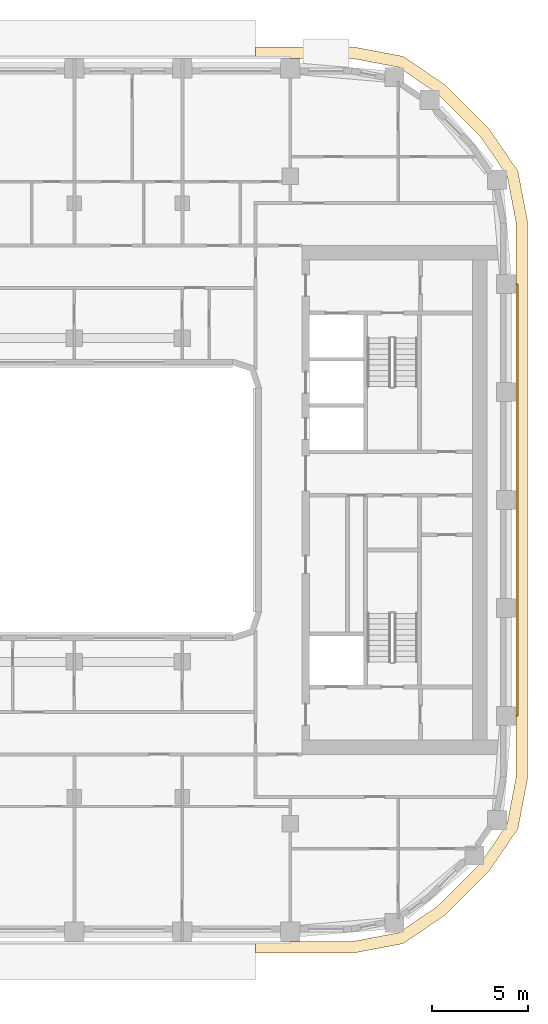
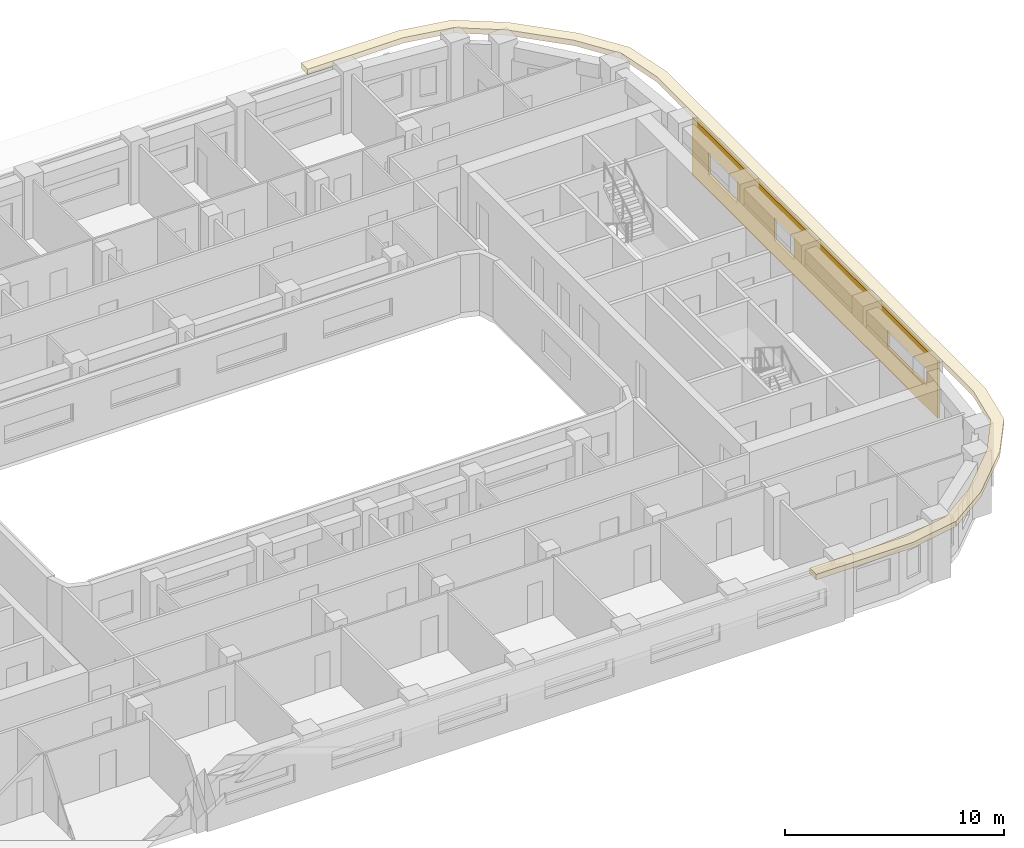
# One storey, part 18 of 22: 2 coverings.
"""IFC4 building model written with IfcOpenShell, lengths in metres."""

from ifc_helpers import new_model, si_unit, direction, frame, origin, place, context, subcontext, project, spatial, polyline, outline, extrude, material, layer, layer_set, type_object, element, save


model = new_model("IFC4")

# Units and contexts
model_context = context("Model", 3, precision=1e-05, world=origin(), true_north=direction((0.0, 1.0)))
body_context = subcontext(model_context, "Body", "Model", "MODEL_VIEW")
ifc_project = project(units=[si_unit("LENGTHUNIT", "METRE"), si_unit("AREAUNIT", "SQUARE_METRE"), si_unit("VOLUMEUNIT", "CUBIC_METRE"), si_unit("PLANEANGLEUNIT", "RADIAN"), si_unit("MASSUNIT", "GRAM", prefix="KILO")], contexts=[model_context])

# Site, building, storey
site_placement = place(None, origin())
site = spatial("IfcSite", under=ifc_project, at=site_placement, CompositionType="ELEMENT")
building_placement = place(site_placement, origin())
building = spatial("IfcBuilding", under=site, at=building_placement, Name="Kiln Ring Residences", CompositionType="ELEMENT")
storey_placement = place(building_placement, frame((0.0, 0.0, 167.60009765625)))
storey = spatial("IfcBuildingStorey", under=building, at=storey_placement, Name="L43", CompositionType="ELEMENT", Elevation=167.60009765625)

# Coverings
ifc_material_1 = material(Name="Brick masonry, dark clay brick", Category="masonry")
ifc_layer_1 = layer(ifc_material_1, 0.1201171875)
ifc_layer_set_1 = layer_set([ifc_layer_1], Name="RAINSCREEN PANEL 120")
covering_type_1 = type_object("IfcCoveringType", Name="RAINSCREEN PANEL 120", PredefinedType="CLADDING", material=ifc_layer_set_1)
covering_1_placement = place(storey_placement, frame((28.56005859375, -11.199951171875, 0.0), z_axis=(0.0, 0.0, 1.0), x_axis=(0.0, 1.0, 0.0)))
element("IfcCovering", 1, at=covering_1_placement, inside=storey, type_object=covering_type_1, Name="RAINSCREEN L43", PredefinedType="CLADDING", context=body_context, shape_type="SweptSolid", body=[
    extrude(outline(polyline([(0.0, 0.0), (22.39990234375, 0.0), (22.39990234375, 3.199951171875), (0.0, 3.199951171875), (0.0, 0.0)]), holes=[polyline([(14.89990234375, 2.14990234375), (13.10009765625, 2.14990234375), (13.10009765625, 0.89990234375), (14.89990234375, 0.89990234375), (14.89990234375, 2.14990234375)]), polyline([(20.89990234375, 0.89990234375), (20.89990234375, 2.14990234375), (18.300048828125, 2.14990234375), (18.300048828125, 0.89990234375), (20.89990234375, 0.89990234375)]), polyline([(4.60009765625, 1.199951171875), (4.60009765625, 2.14990234375), (1.0, 2.14990234375), (1.0, 1.199951171875), (4.60009765625, 1.199951171875)])]), frame((0.0, 0.06005859375, 0.0), z_axis=(0.0, -1.0, 0.0), x_axis=(1.0, 0.0, 0.0)), (0.0, 0.0, 1.0), 0.1201171875),
])
ifc_material_2 = material(Name="Black powder-coated steel", Category="steel")
ifc_layer_2 = layer(ifc_material_2, 0.300048828125)
ifc_layer_set_2 = layer_set([ifc_layer_2], Name="SUNSHADE FIN 600")
covering_type_2 = type_object("IfcCoveringType", Name="SUNSHADE FIN 600", PredefinedType="CLADDING", material=ifc_layer_set_2)
covering_2_placement = place(storey_placement, frame((0.0, 0.0, 3.199951171875)))
element("IfcCovering", 2, at=covering_2_placement, inside=storey, type_object=covering_type_2, Name="SUNSHADE FIN L43", PredefinedType="CLADDING", context=body_context, shape_type="SweptSolid", body=[
    extrude(outline(polyline([(20.10400390625, 23.5), (15.0, 23.5), (15.0, 22.89990234375), (20.04736328125, 22.89990234375), (22.419677734375, 22.447509765625), (24.417236328125, 21.08984375), (26.68994140625, 18.817138671875), (28.047607421875, 16.819580078125), (28.5, 14.447265625), (28.5, -14.447265625), (28.047607421875, -16.819580078125), (26.68994140625, -18.817138671875), (24.417236328125, -21.08984375), (22.419677734375, -22.447509765625), (20.04736328125, -22.89990234375), (15.0, -22.89990234375), (15.0, -23.5), (20.10400390625, -23.5), (22.654052734375, -23.013671875), (24.801513671875, -21.55419921875), (27.154296875, -19.201416015625), (28.613525390625, -17.05419921875), (29.10009765625, -14.50390625), (29.10009765625, 14.50390625), (28.613525390625, 17.05419921875), (27.154296875, 19.201416015625), (24.801513671875, 21.55419921875), (22.654052734375, 23.013671875), (20.10400390625, 23.5)])), origin(), (0.0, 0.0, 1.0), 0.300048828125),
])

save(model, "model.ifc")
